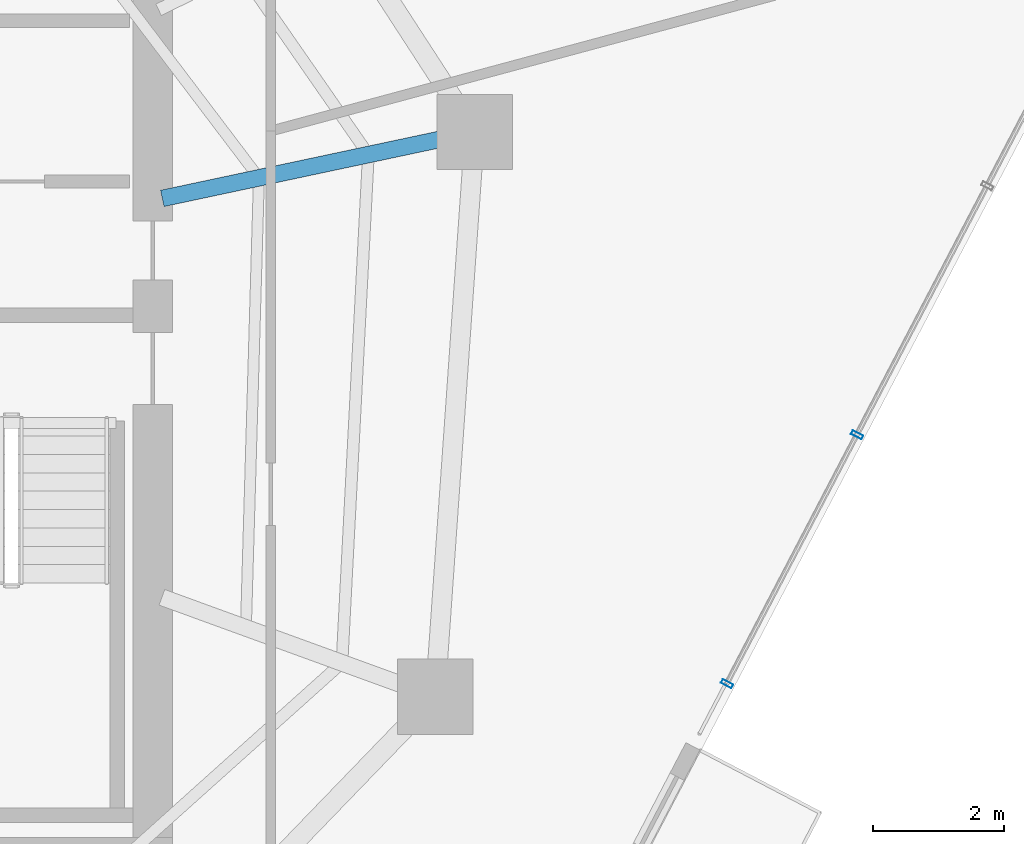
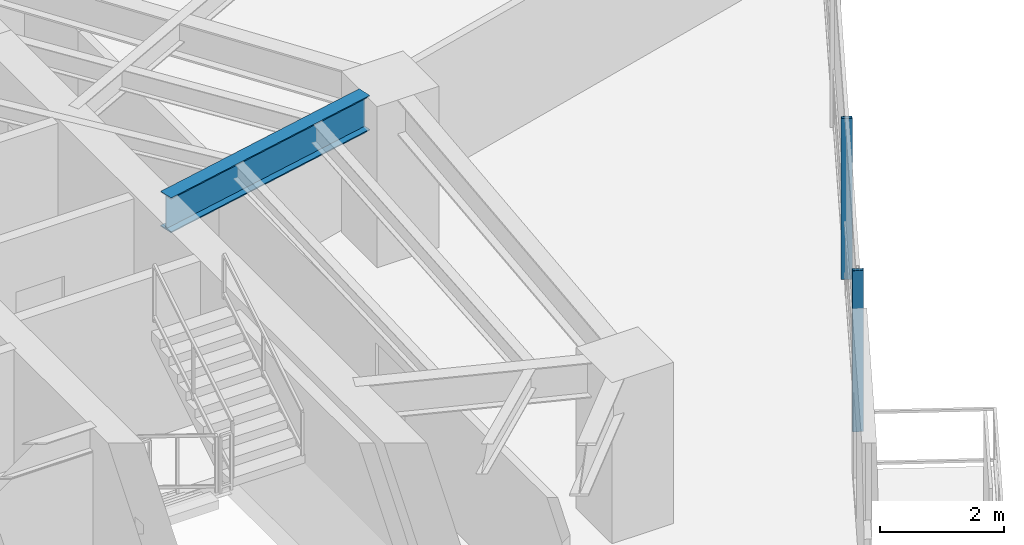
# One storey, part 11 of 25: 2 members, 1 beam, 1 element without a shape of its own.
"""IFC4 building model written with IfcOpenShell, lengths in metres."""

from ifc_helpers import new_model, si_unit, direction, frame, origin, origin_2d, place, context, subcontext, project, spatial, hollow_rectangle, i_section, extrude, material, layer, layer_set, material_profile, profile_set, type_object, element, aggregate, save


model = new_model("IFC4")

# Units and contexts
model_context = context("Model", 3, precision=1e-05, world=origin(), true_north=direction((0.0, 1.0)))
body_context = subcontext(model_context, "Body", "Model", "MODEL_VIEW")
ifc_project = project(units=[si_unit("LENGTHUNIT", "METRE"), si_unit("AREAUNIT", "SQUARE_METRE"), si_unit("VOLUMEUNIT", "CUBIC_METRE"), si_unit("PLANEANGLEUNIT", "RADIAN"), si_unit("MASSUNIT", "GRAM", prefix="KILO")], contexts=[model_context])

# Site, building, storey
site_placement = place(None, origin())
site = spatial("IfcSite", under=ifc_project, at=site_placement, CompositionType="ELEMENT")
building_placement = place(site_placement, origin())
building = spatial("IfcBuilding", under=site, at=building_placement, Name="Qarnah Convention Tower", CompositionType="ELEMENT")
storey_placement = place(building_placement, frame((0.0, 0.0, 76.35009765625)))
storey = spatial("IfcBuildingStorey", under=building, at=storey_placement, Name="L19", CompositionType="ELEMENT", Elevation=76.35009765625)

# Beam
ifc_material_1 = material(Name="Structural steel S355JR", Category="steel")
ifc_material_profile_1 = material_profile(ifc_material_1, i_section(OverallWidth=0.25390625, OverallDepth=0.68798828125, WebThickness=0.012939453125, FlangeThickness=0.02099609375, at=origin_2d()), Name="W690X152")
ifc_profile_set_1 = profile_set([ifc_material_profile_1], Name="Structural steel S355JR")
beam_type = type_object("IfcBeamType", Name="BM-RAD-W690", PredefinedType="BEAM", material=ifc_profile_set_1)
beam_placement = place(storey_placement, frame((47.7470703125, 28.64208984375, 2.825927734375), z_axis=(0.978128480765, 0.20800162287, 0.0), x_axis=(-0.20800162287, 0.978128480765, 0.0)))
element("IfcBeam", 1, at=beam_placement, inside=storey, type_object=beam_type, Name="L19 beam BM-L19-RAD-01", PredefinedType="BEAM", context=body_context, shape_type="SweptSolid", body=[
    extrude(i_section(OverallWidth=0.25390625, OverallDepth=0.68798828125, WebThickness=0.012939453125, FlangeThickness=0.02099609375, at=origin_2d()), origin(), (0.0, 0.0, 1.0), 4.312255859375),
])

# Curtain wall, members
ifc_material_2 = material(Name="Tempered Low-E dark glass", Category="glass")
ifc_layer = layer(ifc_material_2, 0.169921875)
ifc_layer_set = layer_set([ifc_layer], Name="Tempered Low-E dark glass")
curtain_wall_type = type_object("IfcCurtainWallType", Name="CWS-02", PredefinedType="NOTDEFINED", material=ifc_layer_set)
curtain_wall_placement = place(storey_placement, origin())
curtain_wall = element("IfcCurtainWall", 2, at=curtain_wall_placement, inside=storey, type_object=curtain_wall_type, Name="L19 unitised curtain wall CW-L19-F1", PredefinedType="NOTDEFINED")
ifc_material_3 = material(Name="Black anodised aluminium", Category="aluminium")
ifc_material_profile_2 = material_profile(ifc_material_3, hollow_rectangle(XDim=0.06494140625, YDim=0.179931640625, WallThickness=0.00390625, at=origin_2d()), Name="MUL-65X180")
ifc_profile_set_2 = profile_set([ifc_material_profile_2], Name="Black anodised aluminium")
member_type = type_object("IfcMemberType", Name="MUL-T2", PredefinedType="MULLION", material=ifc_profile_set_2)
member_1_placement = place(storey_placement, frame((58.33740234375, 25.03857421875, 0.0), z_axis=(0.0, 0.0, 1.0), x_axis=(-0.463305640205, -0.886198557748, 0.0)))
member_1 = element("IfcMember", 3, at=member_1_placement, type_object=member_type, Name="CW-L19-F1 mullion 3", PredefinedType="MULLION", context=body_context, shape_type="SweptSolid", body=[
    extrude(hollow_rectangle(XDim=0.06494140625, YDim=0.179931640625, WallThickness=0.00390625, at=origin_2d()), origin(), (0.0, 0.0, 1.0), 3.169921875),
])
member_2_placement = place(storey_placement, frame((56.35400390625, 21.2451171875, 0.0), z_axis=(0.0, 0.0, 1.0), x_axis=(-0.463305640205, -0.886198557748, 0.0)))
member_2 = element("IfcMember", 4, at=member_2_placement, type_object=member_type, Name="CW-L19-F1 mullion 4", PredefinedType="MULLION", context=body_context, shape_type="SweptSolid", body=[
    extrude(hollow_rectangle(XDim=0.06494140625, YDim=0.179931640625, WallThickness=0.00390625, at=origin_2d()), origin(), (0.0, 0.0, 1.0), 3.169921875),
])
aggregate(curtain_wall, [member_1, member_2])

save(model, "model.ifc")
